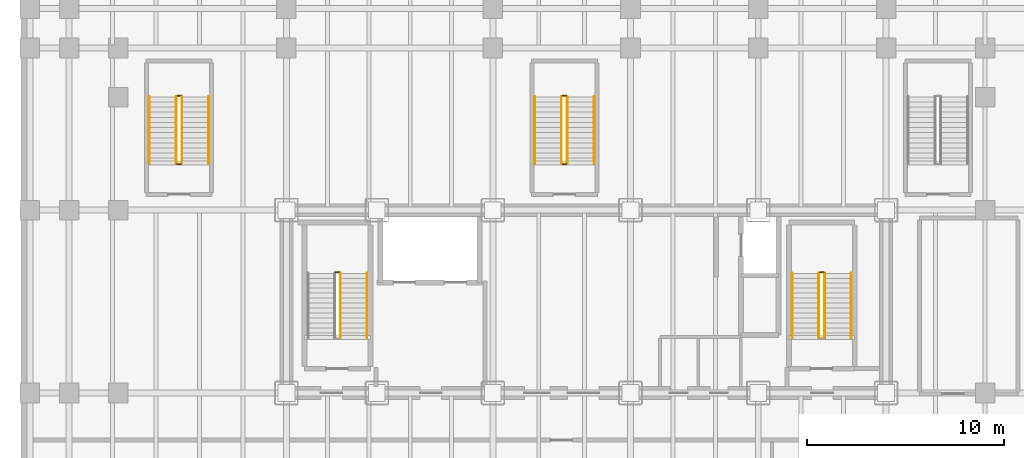
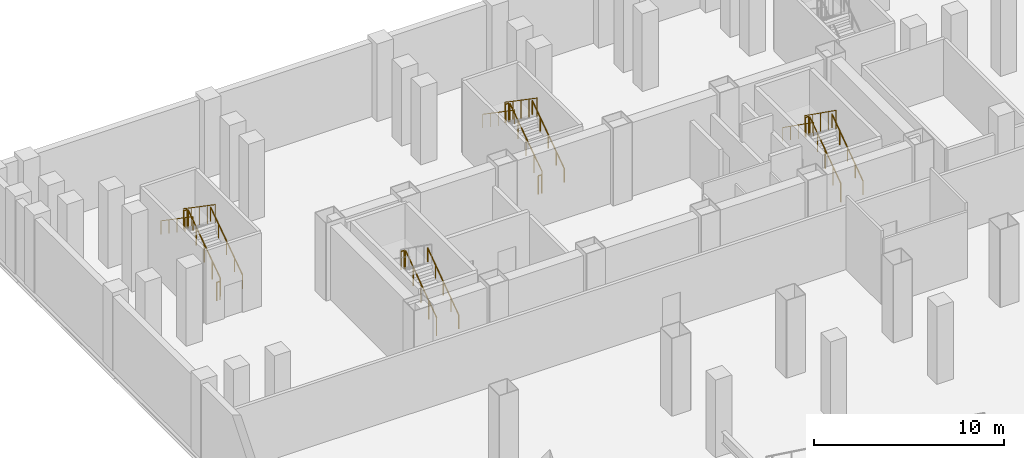
# One storey, part 16 of 18: 20 railings.
"""IFC4 building model written with IfcOpenShell, lengths in metres."""

from ifc_helpers import new_model, si_unit, direction, frame, origin, origin_2d, place, context, subcontext, project, spatial, circle, extrude, material, layer, layer_set, type_object, element, save


model = new_model("IFC4")

# Units and contexts
model_context = context("Model", 3, precision=1e-05, world=origin(), true_north=direction((0.0, 1.0)))
body_context = subcontext(model_context, "Body", "Model", "MODEL_VIEW")
ifc_project = project(units=[si_unit("LENGTHUNIT", "METRE"), si_unit("AREAUNIT", "SQUARE_METRE"), si_unit("VOLUMEUNIT", "CUBIC_METRE"), si_unit("PLANEANGLEUNIT", "RADIAN"), si_unit("MASSUNIT", "GRAM", prefix="KILO")], contexts=[model_context])

# Site, building, storey
site_placement = place(None, origin())
site = spatial("IfcSite", under=ifc_project, at=site_placement, CompositionType="ELEMENT")
building_placement = place(site_placement, origin())
building = spatial("IfcBuilding", under=site, at=building_placement, Name="Noeulbin Bourse Tower", CompositionType="ELEMENT")
storey_placement = place(building_placement, frame((0.0, 0.0, -5.0)))
storey = spatial("IfcBuildingStorey", under=building, at=storey_placement, Name="B01", CompositionType="ELEMENT", Elevation=-5.0)

# Railings
ifc_material_1 = material(Name="Painted Tubular Steel S355", Category="steel")
ifc_layer_1 = layer(ifc_material_1, 0.048095703125)
ifc_layer_set_1 = layer_set([ifc_layer_1], Name="Painted Tubular Steel S355")
railing_type_1 = type_object("IfcRailingType", Name="RLG-STR-GRD", PredefinedType="GUARDRAIL", material=ifc_layer_set_1)
railing_1_placement = place(storey_placement, frame((16.25, 31.81005859375, 0.178466796875)))
element("IfcRailing", 1, at=railing_1_placement, inside=storey, type_object=railing_type_1, Name="B01 ST-1 stair guard 1", PredefinedType="GUARDRAIL", context=body_context, shape_type="SweptSolid", body=[
    extrude(circle(Radius=0.02392578125, at=origin_2d()), frame((0.0, 0.0, 1.17578125), z_axis=(0.0, 0.815893006872, 0.578202906718), x_axis=(-1.0, 0.0, 0.0)), (0.0, 0.0, 1.0), 4.01513671875),
    extrude(circle(Radius=0.02099609375, at=origin_2d()), origin(), (0.0, 0.0, 1.0), 1.15185546875),
    extrude(circle(Radius=0.02099609375, at=origin_2d()), frame((0.0, 0.81884765625, 0.580322265625)), (0.0, 0.0, 1.0), 1.15185546875),
    extrude(circle(Radius=0.02099609375, at=origin_2d()), frame((0.0, 1.637939453125, 1.16064453125)), (0.0, 0.0, 1.0), 1.15185546875),
    extrude(circle(Radius=0.02099609375, at=origin_2d()), frame((0.0, 2.45703125, 1.7412109375)), (0.0, 0.0, 1.0), 1.15185546875),
    extrude(circle(Radius=0.02099609375, at=origin_2d()), frame((0.0, 3.27587890625, 2.321533203125)), (0.0, 0.0, 1.0), 1.15185546875),
])
railing_2_placement = place(storey_placement, frame((16.199951171875, 35.135986328125, 2.5)))
element("IfcRailing", 2, at=railing_2_placement, inside=storey, type_object=railing_type_1, Name="B01 ST-1 stair guard 2", PredefinedType="GUARDRAIL", context=body_context, shape_type="SweptSolid", body=[
    extrude(circle(Radius=0.02392578125, at=origin_2d()), frame((0.0, 0.0, 1.17578125), z_axis=(-1.0, 0.0, 0.0), x_axis=(0.0, -1.0, 0.0)), (0.0, 0.0, 1.0), 0.199951171875),
    extrude(circle(Radius=0.02099609375, at=origin_2d()), origin(), (0.0, 0.0, 1.0), 1.15185546875),
    extrude(circle(Radius=0.02099609375, at=origin_2d()), frame((-0.199951171875, 0.0, 0.0)), (0.0, 0.0, 1.0), 1.15185546875),
])
railing_3_placement = place(storey_placement, frame((40.8798828125, 31.81005859375, 0.178466796875)))
element("IfcRailing", 3, at=railing_3_placement, inside=storey, type_object=railing_type_1, Name="B01 ST-2 stair guard 1", PredefinedType="GUARDRAIL", context=body_context, shape_type="SweptSolid", body=[
    extrude(circle(Radius=0.02392578125, at=origin_2d()), frame((0.0, 0.0, 1.17578125), z_axis=(0.0, 0.815893006872, 0.578202906718), x_axis=(-1.0, 0.0, 0.0)), (0.0, 0.0, 1.0), 4.01513671875),
    extrude(circle(Radius=0.02099609375, at=origin_2d()), origin(), (0.0, 0.0, 1.0), 1.15185546875),
    extrude(circle(Radius=0.02099609375, at=origin_2d()), frame((0.0, 0.81884765625, 0.580322265625)), (0.0, 0.0, 1.0), 1.15185546875),
    extrude(circle(Radius=0.02099609375, at=origin_2d()), frame((0.0, 1.637939453125, 1.16064453125)), (0.0, 0.0, 1.0), 1.15185546875),
    extrude(circle(Radius=0.02099609375, at=origin_2d()), frame((0.0, 2.45703125, 1.7412109375)), (0.0, 0.0, 1.0), 1.15185546875),
    extrude(circle(Radius=0.02099609375, at=origin_2d()), frame((0.0, 3.27587890625, 2.321533203125)), (0.0, 0.0, 1.0), 1.15185546875),
])
railing_4_placement = place(storey_placement, frame((40.830078125, 35.135986328125, 2.5)))
element("IfcRailing", 4, at=railing_4_placement, inside=storey, type_object=railing_type_1, Name="B01 ST-2 stair guard 2", PredefinedType="GUARDRAIL", context=body_context, shape_type="SweptSolid", body=[
    extrude(circle(Radius=0.02392578125, at=origin_2d()), frame((0.0, 0.0, 1.17578125), z_axis=(-1.0, 0.0, 0.0), x_axis=(0.0, -1.0, 0.0)), (0.0, 0.0, 1.0), 0.2001953125),
    extrude(circle(Radius=0.02099609375, at=origin_2d()), origin(), (0.0, 0.0, 1.0), 1.15185546875),
    extrude(circle(Radius=0.02099609375, at=origin_2d()), frame((-0.2001953125, 0.0, 0.0)), (0.0, 0.0, 1.0), 1.15185546875),
])
railing_5_placement = place(storey_placement, frame((40.580078125, 35.0859375, 2.678466796875)))
element("IfcRailing", 5, at=railing_5_placement, inside=storey, type_object=railing_type_1, Name="B01 ST-2 stair guard 3", PredefinedType="GUARDRAIL", context=body_context, shape_type="SweptSolid", body=[
    extrude(circle(Radius=0.02392578125, at=origin_2d()), frame((0.0, 0.0, 1.17578125), z_axis=(0.0, -0.815893006872, 0.578202906718), x_axis=(1.0, 0.0, 0.0)), (0.0, 0.0, 1.0), 4.01513671875),
    extrude(circle(Radius=0.02099609375, at=origin_2d()), origin(), (0.0, 0.0, 1.0), 1.15185546875),
    extrude(circle(Radius=0.02099609375, at=origin_2d()), frame((0.0, -0.81884765625, 0.580322265625)), (0.0, 0.0, 1.0), 1.15185546875),
    extrude(circle(Radius=0.02099609375, at=origin_2d()), frame((0.0, -1.637939453125, 1.16064453125)), (0.0, 0.0, 1.0), 1.15185546875),
    extrude(circle(Radius=0.02099609375, at=origin_2d()), frame((0.0, -2.45703125, 1.7412109375)), (0.0, 0.0, 1.0), 1.15185546875),
    extrude(circle(Radius=0.02099609375, at=origin_2d()), frame((0.0, -3.27587890625, 2.321533203125)), (0.0, 0.0, 1.0), 1.15185546875),
])
railing_6_placement = place(storey_placement, frame((8.18994140625, 40.679931640625, 0.178466796875)))
element("IfcRailing", 6, at=railing_6_placement, inside=storey, type_object=railing_type_1, Name="B01 ST-S1 stair guard 1", PredefinedType="GUARDRAIL", context=body_context, shape_type="SweptSolid", body=[
    extrude(circle(Radius=0.02392578125, at=origin_2d()), frame((0.0, 0.0, 1.17578125), z_axis=(0.0, 0.824304150675, 0.566147213346), x_axis=(-1.0, 0.0, 0.0)), (0.0, 0.0, 1.0), 4.1005859375),
    extrude(circle(Radius=0.02099609375, at=origin_2d()), origin(), (0.0, 0.0, 1.0), 1.15185546875),
    extrude(circle(Radius=0.02099609375, at=origin_2d()), frame((0.0, 0.844970703125, 0.580322265625)), (0.0, 0.0, 1.0), 1.15185546875),
    extrude(circle(Radius=0.02099609375, at=origin_2d()), frame((0.0, 1.68994140625, 1.16064453125)), (0.0, 0.0, 1.0), 1.15185546875),
    extrude(circle(Radius=0.02099609375, at=origin_2d()), frame((0.0, 2.53515625, 1.7412109375)), (0.0, 0.0, 1.0), 1.15185546875),
    extrude(circle(Radius=0.02099609375, at=origin_2d()), frame((0.0, 3.380126953125, 2.321533203125)), (0.0, 0.0, 1.0), 1.15185546875),
])
railing_7_placement = place(storey_placement, frame((8.139892578125, 44.110107421875, 2.5)))
element("IfcRailing", 7, at=railing_7_placement, inside=storey, type_object=railing_type_1, Name="B01 ST-S1 stair guard 2", PredefinedType="GUARDRAIL", context=body_context, shape_type="SweptSolid", body=[
    extrude(circle(Radius=0.02392578125, at=origin_2d()), frame((0.0, 0.0, 1.17578125), z_axis=(-1.0, 0.0, 0.0), x_axis=(0.0, -1.0, 0.0)), (0.0, 0.0, 1.0), 0.199951171875),
    extrude(circle(Radius=0.02099609375, at=origin_2d()), origin(), (0.0, 0.0, 1.0), 1.15185546875),
    extrude(circle(Radius=0.02099609375, at=origin_2d()), frame((-0.199951171875, 0.0, 0.0)), (0.0, 0.0, 1.0), 1.15185546875),
])
railing_8_placement = place(storey_placement, frame((7.889892578125, 44.06005859375, 2.678466796875)))
element("IfcRailing", 8, at=railing_8_placement, inside=storey, type_object=railing_type_1, Name="B01 ST-S1 stair guard 3", PredefinedType="GUARDRAIL", context=body_context, shape_type="SweptSolid", body=[
    extrude(circle(Radius=0.02392578125, at=origin_2d()), frame((0.0, 0.0, 1.17578125), z_axis=(0.0, -0.824304150675, 0.566147213346), x_axis=(1.0, 0.0, 0.0)), (0.0, 0.0, 1.0), 4.1005859375),
    extrude(circle(Radius=0.02099609375, at=origin_2d()), origin(), (0.0, 0.0, 1.0), 1.15185546875),
    extrude(circle(Radius=0.02099609375, at=origin_2d()), frame((0.0, -0.844970703125, 0.580322265625)), (0.0, 0.0, 1.0), 1.15185546875),
    extrude(circle(Radius=0.02099609375, at=origin_2d()), frame((0.0, -1.68994140625, 1.16064453125)), (0.0, 0.0, 1.0), 1.15185546875),
    extrude(circle(Radius=0.02099609375, at=origin_2d()), frame((0.0, -2.53515625, 1.7412109375)), (0.0, 0.0, 1.0), 1.15185546875),
    extrude(circle(Radius=0.02099609375, at=origin_2d()), frame((0.0, -3.380126953125, 2.321533203125)), (0.0, 0.0, 1.0), 1.15185546875),
])
railing_9_placement = place(storey_placement, frame((8.139892578125, 40.6298828125, 0.0)))
element("IfcRailing", 9, at=railing_9_placement, inside=storey, type_object=railing_type_1, Name="B01 ST-S1 stair guard 4", PredefinedType="GUARDRAIL", context=body_context, shape_type="SweptSolid", body=[
    extrude(circle(Radius=0.02392578125, at=origin_2d()), frame((0.0, 0.0, 1.17578125), z_axis=(-1.0, 0.0, 0.0), x_axis=(0.0, -1.0, 0.0)), (0.0, 0.0, 1.0), 0.199951171875),
    extrude(circle(Radius=0.02099609375, at=origin_2d()), origin(), (0.0, 0.0, 1.0), 1.15185546875),
    extrude(circle(Radius=0.02099609375, at=origin_2d()), frame((-0.199951171875, 0.0, 0.0)), (0.0, 0.0, 1.0), 1.15185546875),
])
railing_10_placement = place(storey_placement, frame((27.7900390625, 40.679931640625, 0.178466796875)))
element("IfcRailing", 10, at=railing_10_placement, inside=storey, type_object=railing_type_1, Name="B01 ST-S2 stair guard 1", PredefinedType="GUARDRAIL", context=body_context, shape_type="SweptSolid", body=[
    extrude(circle(Radius=0.02392578125, at=origin_2d()), frame((0.0, 0.0, 1.17578125), z_axis=(0.0, 0.824304150675, 0.566147213346), x_axis=(-1.0, 0.0, 0.0)), (0.0, 0.0, 1.0), 4.1005859375),
    extrude(circle(Radius=0.02099609375, at=origin_2d()), origin(), (0.0, 0.0, 1.0), 1.15185546875),
    extrude(circle(Radius=0.02099609375, at=origin_2d()), frame((0.0, 0.844970703125, 0.580322265625)), (0.0, 0.0, 1.0), 1.15185546875),
    extrude(circle(Radius=0.02099609375, at=origin_2d()), frame((0.0, 1.68994140625, 1.16064453125)), (0.0, 0.0, 1.0), 1.15185546875),
    extrude(circle(Radius=0.02099609375, at=origin_2d()), frame((0.0, 2.53515625, 1.7412109375)), (0.0, 0.0, 1.0), 1.15185546875),
    extrude(circle(Radius=0.02099609375, at=origin_2d()), frame((0.0, 3.380126953125, 2.321533203125)), (0.0, 0.0, 1.0), 1.15185546875),
])
railing_11_placement = place(storey_placement, frame((27.739990234375, 44.110107421875, 2.5)))
element("IfcRailing", 11, at=railing_11_placement, inside=storey, type_object=railing_type_1, Name="B01 ST-S2 stair guard 2", PredefinedType="GUARDRAIL", context=body_context, shape_type="SweptSolid", body=[
    extrude(circle(Radius=0.02392578125, at=origin_2d()), frame((0.0, 0.0, 1.17578125), z_axis=(-1.0, 0.0, 0.0), x_axis=(0.0, -1.0, 0.0)), (0.0, 0.0, 1.0), 0.199951171875),
    extrude(circle(Radius=0.02099609375, at=origin_2d()), origin(), (0.0, 0.0, 1.0), 1.15185546875),
    extrude(circle(Radius=0.02099609375, at=origin_2d()), frame((-0.199951171875, 0.0, 0.0)), (0.0, 0.0, 1.0), 1.15185546875),
])
railing_12_placement = place(storey_placement, frame((27.489990234375, 44.06005859375, 2.678466796875)))
element("IfcRailing", 12, at=railing_12_placement, inside=storey, type_object=railing_type_1, Name="B01 ST-S2 stair guard 3", PredefinedType="GUARDRAIL", context=body_context, shape_type="SweptSolid", body=[
    extrude(circle(Radius=0.02392578125, at=origin_2d()), frame((0.0, 0.0, 1.17578125), z_axis=(0.0, -0.824304150675, 0.566147213346), x_axis=(1.0, 0.0, 0.0)), (0.0, 0.0, 1.0), 4.1005859375),
    extrude(circle(Radius=0.02099609375, at=origin_2d()), origin(), (0.0, 0.0, 1.0), 1.15185546875),
    extrude(circle(Radius=0.02099609375, at=origin_2d()), frame((0.0, -0.844970703125, 0.580322265625)), (0.0, 0.0, 1.0), 1.15185546875),
    extrude(circle(Radius=0.02099609375, at=origin_2d()), frame((0.0, -1.68994140625, 1.16064453125)), (0.0, 0.0, 1.0), 1.15185546875),
    extrude(circle(Radius=0.02099609375, at=origin_2d()), frame((0.0, -2.53515625, 1.7412109375)), (0.0, 0.0, 1.0), 1.15185546875),
    extrude(circle(Radius=0.02099609375, at=origin_2d()), frame((0.0, -3.380126953125, 2.321533203125)), (0.0, 0.0, 1.0), 1.15185546875),
])
railing_13_placement = place(storey_placement, frame((27.739990234375, 40.6298828125, 0.0)))
element("IfcRailing", 13, at=railing_13_placement, inside=storey, type_object=railing_type_1, Name="B01 ST-S2 stair guard 4", PredefinedType="GUARDRAIL", context=body_context, shape_type="SweptSolid", body=[
    extrude(circle(Radius=0.02392578125, at=origin_2d()), frame((0.0, 0.0, 1.17578125), z_axis=(-1.0, 0.0, 0.0), x_axis=(0.0, -1.0, 0.0)), (0.0, 0.0, 1.0), 0.199951171875),
    extrude(circle(Radius=0.02099609375, at=origin_2d()), origin(), (0.0, 0.0, 1.0), 1.15185546875),
    extrude(circle(Radius=0.02099609375, at=origin_2d()), frame((-0.199951171875, 0.0, 0.0)), (0.0, 0.0, 1.0), 1.15185546875),
])
ifc_material_2 = material(Name="Brushed Stainless Steel 316", Category="steel")
ifc_layer_2 = layer(ifc_material_2, 0.048095703125)
ifc_layer_set_2 = layer_set([ifc_layer_2], Name="Brushed Stainless Steel 316")
railing_type_2 = type_object("IfcRailingType", Name="RLG-STR-HND", PredefinedType="HANDRAIL", material=ifc_layer_set_2)
for number, where, name in (
    (14, (17.60009765625, 31.81005859375, 0.178466796875), "B01 ST-1 stair handrail 1"),
    (15, (42.22998046875, 31.81005859375, 0.178466796875), "B01 ST-2 stair handrail 1"),
):
    element("IfcRailing", number, at=place(storey_placement, frame(where)), inside=storey, type_object=railing_type_2, Name=name, PredefinedType="HANDRAIL", context=body_context, shape_type="SweptSolid", body=[
        extrude(circle(Radius=0.02392578125, at=origin_2d()), frame((0.0, 0.0, 0.8759765625), z_axis=(0.0, 0.815893006872, 0.578202906718), x_axis=(-1.0, 0.0, 0.0)), (0.0, 0.0, 1.0), 4.01513671875),
        extrude(circle(Radius=0.02099609375, at=origin_2d()), origin(), (0.0, 0.0, 1.0), 0.851806640625),
        extrude(circle(Radius=0.02099609375, at=origin_2d()), frame((0.0, 0.81884765625, 0.580322265625)), (0.0, 0.0, 1.0), 0.851806640625),
        extrude(circle(Radius=0.02099609375, at=origin_2d()), frame((0.0, 1.637939453125, 1.16064453125)), (0.0, 0.0, 1.0), 0.851806640625),
        extrude(circle(Radius=0.02099609375, at=origin_2d()), frame((0.0, 2.45703125, 1.7412109375)), (0.0, 0.0, 1.0), 0.851806640625),
        extrude(circle(Radius=0.02099609375, at=origin_2d()), frame((0.0, 3.27587890625, 2.321533203125)), (0.0, 0.0, 1.0), 0.851806640625),
    ])
railing_14_placement = place(storey_placement, frame((39.22998046875, 35.0859375, 2.678466796875)))
element("IfcRailing", 16, at=railing_14_placement, inside=storey, type_object=railing_type_2, Name="B01 ST-2 stair handrail 2", PredefinedType="HANDRAIL", context=body_context, shape_type="SweptSolid", body=[
    extrude(circle(Radius=0.02392578125, at=origin_2d()), frame((0.0, 0.0, 0.8759765625), z_axis=(0.0, -0.815893006872, 0.578202906718), x_axis=(1.0, 0.0, 0.0)), (0.0, 0.0, 1.0), 4.01513671875),
    extrude(circle(Radius=0.02099609375, at=origin_2d()), origin(), (0.0, 0.0, 1.0), 0.851806640625),
    extrude(circle(Radius=0.02099609375, at=origin_2d()), frame((0.0, -0.81884765625, 0.580322265625)), (0.0, 0.0, 1.0), 0.851806640625),
    extrude(circle(Radius=0.02099609375, at=origin_2d()), frame((0.0, -1.637939453125, 1.16064453125)), (0.0, 0.0, 1.0), 0.851806640625),
    extrude(circle(Radius=0.02099609375, at=origin_2d()), frame((0.0, -2.45703125, 1.7412109375)), (0.0, 0.0, 1.0), 0.851806640625),
    extrude(circle(Radius=0.02099609375, at=origin_2d()), frame((0.0, -3.27587890625, 2.321533203125)), (0.0, 0.0, 1.0), 0.851806640625),
])
railing_15_placement = place(storey_placement, frame((9.550048828125, 40.679931640625, 0.178466796875)))
element("IfcRailing", 17, at=railing_15_placement, inside=storey, type_object=railing_type_2, Name="B01 ST-S1 stair handrail 1", PredefinedType="HANDRAIL", context=body_context, shape_type="SweptSolid", body=[
    extrude(circle(Radius=0.02392578125, at=origin_2d()), frame((0.0, 0.0, 0.8759765625), z_axis=(0.0, 0.824304150675, 0.566147213346), x_axis=(-1.0, 0.0, 0.0)), (0.0, 0.0, 1.0), 4.1005859375),
    extrude(circle(Radius=0.02099609375, at=origin_2d()), origin(), (0.0, 0.0, 1.0), 0.851806640625),
    extrude(circle(Radius=0.02099609375, at=origin_2d()), frame((0.0, 0.844970703125, 0.580322265625)), (0.0, 0.0, 1.0), 0.851806640625),
    extrude(circle(Radius=0.02099609375, at=origin_2d()), frame((0.0, 1.68994140625, 1.16064453125)), (0.0, 0.0, 1.0), 0.851806640625),
    extrude(circle(Radius=0.02099609375, at=origin_2d()), frame((0.0, 2.53515625, 1.7412109375)), (0.0, 0.0, 1.0), 0.851806640625),
    extrude(circle(Radius=0.02099609375, at=origin_2d()), frame((0.0, 3.380126953125, 2.321533203125)), (0.0, 0.0, 1.0), 0.851806640625),
])
railing_16_placement = place(storey_placement, frame((6.530029296875, 44.06005859375, 2.678466796875)))
element("IfcRailing", 18, at=railing_16_placement, inside=storey, type_object=railing_type_2, Name="B01 ST-S1 stair handrail 2", PredefinedType="HANDRAIL", context=body_context, shape_type="SweptSolid", body=[
    extrude(circle(Radius=0.02392578125, at=origin_2d()), frame((0.0, 0.0, 0.8759765625), z_axis=(0.0, -0.824304150675, 0.566147213346), x_axis=(1.0, 0.0, 0.0)), (0.0, 0.0, 1.0), 4.1005859375),
    extrude(circle(Radius=0.02099609375, at=origin_2d()), origin(), (0.0, 0.0, 1.0), 0.851806640625),
    extrude(circle(Radius=0.02099609375, at=origin_2d()), frame((0.0, -0.844970703125, 0.580322265625)), (0.0, 0.0, 1.0), 0.851806640625),
    extrude(circle(Radius=0.02099609375, at=origin_2d()), frame((0.0, -1.68994140625, 1.16064453125)), (0.0, 0.0, 1.0), 0.851806640625),
    extrude(circle(Radius=0.02099609375, at=origin_2d()), frame((0.0, -2.53515625, 1.7412109375)), (0.0, 0.0, 1.0), 0.851806640625),
    extrude(circle(Radius=0.02099609375, at=origin_2d()), frame((0.0, -3.380126953125, 2.321533203125)), (0.0, 0.0, 1.0), 0.851806640625),
])
railing_17_placement = place(storey_placement, frame((29.14990234375, 40.679931640625, 0.178466796875)))
element("IfcRailing", 19, at=railing_17_placement, inside=storey, type_object=railing_type_2, Name="B01 ST-S2 stair handrail 1", PredefinedType="HANDRAIL", context=body_context, shape_type="SweptSolid", body=[
    extrude(circle(Radius=0.02392578125, at=origin_2d()), frame((0.0, 0.0, 0.8759765625), z_axis=(0.0, 0.824304150675, 0.566147213346), x_axis=(-1.0, 0.0, 0.0)), (0.0, 0.0, 1.0), 4.1005859375),
    extrude(circle(Radius=0.02099609375, at=origin_2d()), origin(), (0.0, 0.0, 1.0), 0.851806640625),
    extrude(circle(Radius=0.02099609375, at=origin_2d()), frame((0.0, 0.844970703125, 0.580322265625)), (0.0, 0.0, 1.0), 0.851806640625),
    extrude(circle(Radius=0.02099609375, at=origin_2d()), frame((0.0, 1.68994140625, 1.16064453125)), (0.0, 0.0, 1.0), 0.851806640625),
    extrude(circle(Radius=0.02099609375, at=origin_2d()), frame((0.0, 2.53515625, 1.7412109375)), (0.0, 0.0, 1.0), 0.851806640625),
    extrude(circle(Radius=0.02099609375, at=origin_2d()), frame((0.0, 3.380126953125, 2.321533203125)), (0.0, 0.0, 1.0), 0.851806640625),
])
railing_18_placement = place(storey_placement, frame((26.1298828125, 44.06005859375, 2.678466796875)))
element("IfcRailing", 20, at=railing_18_placement, inside=storey, type_object=railing_type_2, Name="B01 ST-S2 stair handrail 2", PredefinedType="HANDRAIL", context=body_context, shape_type="SweptSolid", body=[
    extrude(circle(Radius=0.02392578125, at=origin_2d()), frame((0.0, 0.0, 0.8759765625), z_axis=(0.0, -0.824304150675, 0.566147213346), x_axis=(1.0, 0.0, 0.0)), (0.0, 0.0, 1.0), 4.1005859375),
    extrude(circle(Radius=0.02099609375, at=origin_2d()), origin(), (0.0, 0.0, 1.0), 0.851806640625),
    extrude(circle(Radius=0.02099609375, at=origin_2d()), frame((0.0, -0.844970703125, 0.580322265625)), (0.0, 0.0, 1.0), 0.851806640625),
    extrude(circle(Radius=0.02099609375, at=origin_2d()), frame((0.0, -1.68994140625, 1.16064453125)), (0.0, 0.0, 1.0), 0.851806640625),
    extrude(circle(Radius=0.02099609375, at=origin_2d()), frame((0.0, -2.53515625, 1.7412109375)), (0.0, 0.0, 1.0), 0.851806640625),
    extrude(circle(Radius=0.02099609375, at=origin_2d()), frame((0.0, -3.380126953125, 2.321533203125)), (0.0, 0.0, 1.0), 0.851806640625),
])

save(model, "model.ifc")
